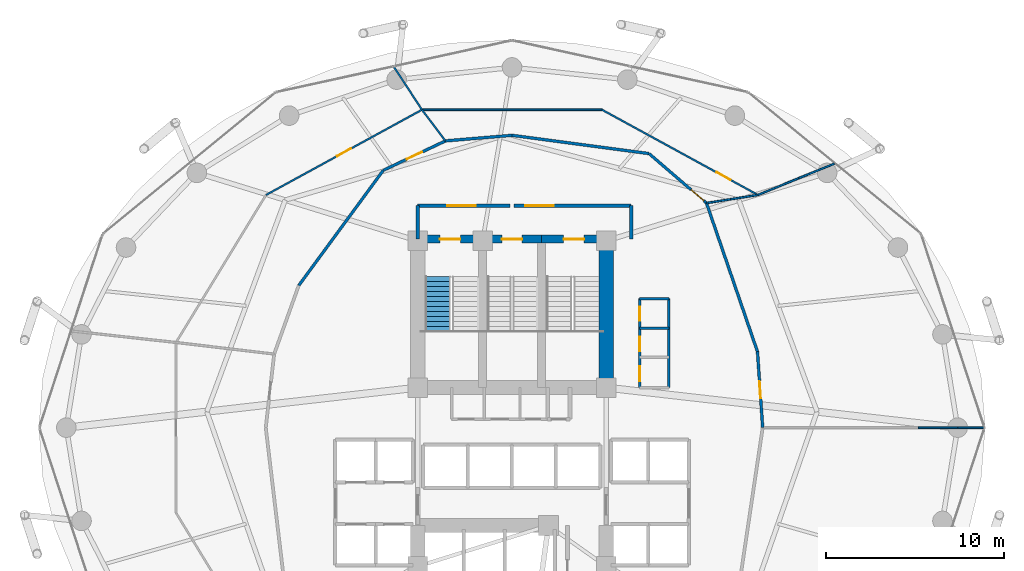
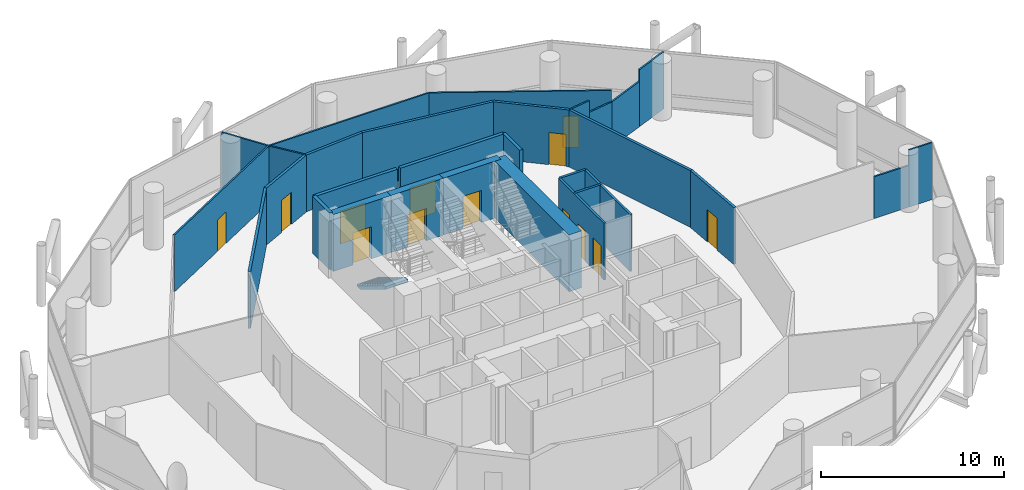
# One storey, part 23 of 25: 30 walls, 13 doors, 1 stair flight, 13 openings, 1 element without a shape of its own.
"""IFC4 building model written with IfcOpenShell, lengths in metres."""

from ifc_helpers import new_model, si_unit, direction, frame, frame_2d, origin, place, context, subcontext, project, spatial, polyline, rectangle, outline, extrude, material, layer, layer_set, type_object, element, fill, aggregate, save


model = new_model("IFC4")

# Units and contexts
model_context = context("Model", 3, precision=1e-05, world=origin(), true_north=direction((0.0, 1.0)))
body_context = subcontext(model_context, "Body", "Model", "MODEL_VIEW")
ifc_project = project(units=[si_unit("LENGTHUNIT", "METRE"), si_unit("AREAUNIT", "SQUARE_METRE"), si_unit("VOLUMEUNIT", "CUBIC_METRE"), si_unit("PLANEANGLEUNIT", "RADIAN"), si_unit("MASSUNIT", "GRAM", prefix="KILO")], contexts=[model_context])

# Site, building, storey
site_placement = place(None, origin())
site = spatial("IfcSite", under=ifc_project, at=site_placement, CompositionType="ELEMENT")
building_placement = place(site_placement, origin())
building = spatial("IfcBuilding", under=site, at=building_placement, Name="Nuhasar Tower", CompositionType="ELEMENT")
storey_placement = place(building_placement, frame((0.0, 0.0, 61.5)))
storey = spatial("IfcBuildingStorey", under=building, at=storey_placement, Name="L14", CompositionType="ELEMENT", Elevation=61.5)

# Wall, opening, door
ifc_material_1 = material(Name="Concrete C50/60", Category="concrete")
ifc_layer_1 = layer(ifc_material_1, 0.449951171875)
ifc_layer_set_1 = layer_set([ifc_layer_1], Name="Concrete C50/60")
wall_type_1 = type_object("IfcWallType", Name="WL-CORE-450", PredefinedType="SHEAR", material=ifc_layer_set_1)
wall_1_placement = place(storey_placement, frame((37.35009765625, 37.39990234375, 0.0), z_axis=(0.0, 0.0, 1.0), x_axis=(-1.0, 0.0, 0.0)))
wall_1 = element("IfcWall", 1, at=wall_1_placement, inside=storey, type_object=wall_type_1, Name="L14 Stairwell Shear Wall ST01-N", PredefinedType="SHEAR", context=body_context, shape_type="SweptSolid", body=[
    extrude(rectangle(XDim=3.650146484375, YDim=0.449951171875, at=frame_2d((1.8251953125, 0.0))), origin(), (0.0, 0.0, 1.0), 3.800048828125),
])
opening_1_placement = place(wall_1_placement, frame((1.25, 0.0, 0.0)))
opening_1 = element("IfcOpeningElement", 2, at=opening_1_placement, cuts=wall_1, Name="Opening DS-01", PredefinedType="OPENING", context=body_context, shape_type="SweptSolid", body=[
    extrude(rectangle(XDim=1.14990234375, YDim=2.14990234375, at=frame_2d((0.574951171875, 1.074951171875))), frame((0.0, 0.23486328125, 0.0), z_axis=(0.0, -1.0, 0.0), x_axis=(1.0, 0.0, 0.0)), (0.0, 0.0, 1.0), 0.469970703125),
])
ifc_material_2 = material(Name="Steel S355", Category="steel")
door_type_1 = type_object("IfcDoorType", Name="DR-STAIR-FD120-1150", OperationType="NOTDEFINED", PredefinedType="DOOR", material=ifc_material_2)
door_1_placement = place(opening_1_placement, origin())
door_1 = element("IfcDoor", 3, at=door_1_placement, inside=storey, type_object=door_type_1, Name="L14 Exit Stair ST-01 Door", OperationType="SINGLE_SWING_RIGHT", OverallHeight=2.14990234375, OverallWidth=1.14990234375, PredefinedType="DOOR", context=body_context, shape_type="SweptSolid", body=[
    extrude(rectangle(XDim=1.14990234375, YDim=2.14990234375, at=frame_2d((0.574951171875, 1.074951171875))), frame((0.0, 0.02490234375, 0.0), z_axis=(0.0, -1.0, 0.0), x_axis=(1.0, 0.0, 0.0)), (0.0, 0.0, 1.0), 0.050048828125),
])
fill(opening_1, door_1)

wall_2_placement = place(storey_placement, frame((40.64990234375, 37.39990234375, 0.0), z_axis=(0.0, 0.0, 1.0), x_axis=(-1.0, 0.0, 0.0)))
wall_2 = element("IfcWall", 4, at=wall_2_placement, inside=storey, type_object=wall_type_1, Name="L14 Stairwell Shear Wall ST03-N", PredefinedType="SHEAR", context=body_context, shape_type="SweptSolid", body=[
    extrude(rectangle(XDim=3.2998046875, YDim=0.449951171875, at=frame_2d((1.64990234375, 0.0))), origin(), (0.0, 0.0, 1.0), 3.800048828125),
])
opening_2_placement = place(wall_2_placement, frame((1.074951171875, 0.0, 0.0)))
opening_2 = element("IfcOpeningElement", 5, at=opening_2_placement, cuts=wall_2, Name="Opening DS-01", PredefinedType="OPENING", context=body_context, shape_type="SweptSolid", body=[
    extrude(rectangle(XDim=1.14990234375, YDim=2.14990234375, at=frame_2d((0.574951171875, 1.074951171875))), frame((0.0, 0.23486328125, 0.0), z_axis=(0.0, -1.0, 0.0), x_axis=(1.0, 0.0, 0.0)), (0.0, 0.0, 1.0), 0.469970703125),
])
door_2_placement = place(opening_2_placement, origin())
door_2 = element("IfcDoor", 6, at=door_2_placement, inside=storey, type_object=door_type_1, Name="L14 Exit Stair ST-03 Door", OperationType="SINGLE_SWING_RIGHT", OverallHeight=2.14990234375, OverallWidth=1.14990234375, PredefinedType="DOOR", context=body_context, shape_type="SweptSolid", body=[
    extrude(rectangle(XDim=1.14990234375, YDim=2.14990234375, at=frame_2d((0.574951171875, 1.074951171875))), frame((0.0, 0.02490234375, 0.0), z_axis=(0.0, -1.0, 0.0), x_axis=(1.0, 0.0, 0.0)), (0.0, 0.0, 1.0), 0.050048828125),
])
fill(opening_2, door_2)

wall_3_placement = place(storey_placement, frame((44.300048828125, 37.39990234375, 0.0), z_axis=(0.0, 0.0, 1.0), x_axis=(-1.0, 0.0, 0.0)))
wall_3 = element("IfcWall", 7, at=wall_3_placement, inside=storey, type_object=wall_type_1, Name="L14 Stairwell Shear Wall ST02-N", PredefinedType="SHEAR", context=body_context, shape_type="SweptSolid", body=[
    extrude(rectangle(XDim=3.650146484375, YDim=0.449951171875, at=frame_2d((1.8251953125, 0.0))), origin(), (0.0, 0.0, 1.0), 3.800048828125),
])
opening_3_placement = place(wall_3_placement, frame((1.25, 0.0, 0.0)))
opening_3 = element("IfcOpeningElement", 8, at=opening_3_placement, cuts=wall_3, Name="Opening DS-01", PredefinedType="OPENING", context=body_context, shape_type="SweptSolid", body=[
    extrude(rectangle(XDim=1.14990234375, YDim=2.14990234375, at=frame_2d((0.574951171875, 1.074951171875))), frame((0.0, 0.23486328125, 0.0), z_axis=(0.0, -1.0, 0.0), x_axis=(1.0, 0.0, 0.0)), (0.0, 0.0, 1.0), 0.469970703125),
])
door_3_placement = place(opening_3_placement, origin())
door_3 = element("IfcDoor", 9, at=door_3_placement, inside=storey, type_object=door_type_1, Name="L14 Exit Stair ST-02 Door", OperationType="SINGLE_SWING_LEFT", OverallHeight=2.14990234375, OverallWidth=1.14990234375, PredefinedType="DOOR", context=body_context, shape_type="SweptSolid", body=[
    extrude(rectangle(XDim=1.14990234375, YDim=2.14990234375, at=frame_2d((0.574951171875, 1.074951171875))), frame((0.0, 0.02490234375, 0.0), z_axis=(0.0, -1.0, 0.0), x_axis=(1.0, 0.0, 0.0)), (0.0, 0.0, 1.0), 0.050048828125),
])
fill(opening_3, door_3)

# Wall
ifc_material_3 = material(Name="Concrete C80/95", Category="concrete")
ifc_layer_2 = layer(ifc_material_3, 0.800048828125)
ifc_layer_set_2 = layer_set([ifc_layer_2], Name="Concrete C80/95")
wall_type_2 = type_object("IfcWallType", Name="WL-CORE-800", PredefinedType="SHEAR", material=ifc_layer_set_2)
wall_4_placement = place(storey_placement, frame((44.300048828125, 29.050048828125, 0.0), z_axis=(0.0, 0.0, 1.0), x_axis=(0.0, 1.0, 0.0)))
element("IfcWall", 10, at=wall_4_placement, inside=storey, type_object=wall_type_2, Name="L14 Core Shear Wall CW-NE CW-800", PredefinedType="SHEAR", context=body_context, shape_type="SweptSolid", body=[
    extrude(rectangle(XDim=8.349853515625, YDim=0.800048828125, at=frame_2d((4.1748046875, 0.0))), origin(), (0.0, 0.0, 1.0), 3.800048828125),
])

# Wall, opening, door
ifc_material_4 = material(Name="Gypsum Board", Category="gypsum")
ifc_layer_3 = layer(ifc_material_4, 0.159912109375)
ifc_layer_set_3 = layer_set([ifc_layer_3], Name="Gypsum Board")
wall_type_3 = type_object("IfcWallType", Name="WL-CORR-160", PredefinedType="PARTITIONING", material=ifc_layer_set_3)
wall_5_placement = place(storey_placement, frame((52.798095703125, 31.069091796875, 0.0), z_axis=(0.0, 0.0, 1.0), x_axis=(0.068238144639, -0.99766906117, 0.0)))
wall_5 = element("IfcWall", 11, at=wall_5_placement, inside=storey, type_object=wall_type_3, Name="L14 Interior Partition CORR-00", PredefinedType="PARTITIONING", context=body_context, shape_type="SweptSolid", body=[
    extrude(rectangle(XDim=4.279052734375, YDim=0.159912109375, at=frame_2d((2.1396484375, 0.0))), origin(), (0.0, 0.0, 1.0), 3.800048828125),
])
opening_4_placement = place(wall_5_placement, frame((1.6640625, 0.0, 0.0)))
opening_4 = element("IfcOpeningElement", 12, at=opening_4_placement, cuts=wall_5, Name="Opening DO-01", PredefinedType="OPENING", context=body_context, shape_type="SweptSolid", body=[
    extrude(rectangle(XDim=0.949951171875, YDim=2.14990234375, at=frame_2d((0.47509765625, 1.074951171875))), frame((0.0, 0.08984375, 0.0), z_axis=(0.0, -1.0, 0.0), x_axis=(1.0, 0.0, 0.0)), (0.0, 0.0, 1.0), 0.179931640625),
])
ifc_material_5 = material(Name="Timber Oak", Category="wood")
door_type_2 = type_object("IfcDoorType", Name="DR-OFFICE-FD30-950", OperationType="NOTDEFINED", PredefinedType="DOOR", material=ifc_material_5)
door_4_placement = place(opening_4_placement, origin())
door_4 = element("IfcDoor", 13, at=door_4_placement, inside=storey, type_object=door_type_2, Name="L14 Quantitative Markets Lounge Entry Door", OperationType="SINGLE_SWING_LEFT", OverallHeight=2.14990234375, OverallWidth=0.949951171875, PredefinedType="DOOR", context=body_context, shape_type="SweptSolid", body=[
    extrude(rectangle(XDim=0.949951171875, YDim=2.14990234375, at=frame_2d((0.47509765625, 1.074951171875))), frame((0.0, 0.02490234375, 0.0), z_axis=(0.0, -1.0, 0.0), x_axis=(1.0, 0.0, 0.0)), (0.0, 0.0, 1.0), 0.050048828125),
])
fill(opening_4, door_4)

# Wall
wall_6_placement = place(storey_placement, frame((52.798095703125, 31.069091796875, 0.0), z_axis=(0.0, 0.0, 1.0), x_axis=(-0.32452502426, 0.945877110744, 0.0)))
element("IfcWall", 14, at=wall_6_placement, inside=storey, type_object=wall_type_3, Name="L14 Interior Partition CORR-02", PredefinedType="PARTITIONING", context=body_context, shape_type="SweptSolid", body=[
    extrude(rectangle(XDim=8.83203125, YDim=0.159912109375, at=frame_2d((4.416015625, 0.0))), origin(), (0.0, 0.0, 1.0), 3.800048828125),
])

# Wall, opening, door
wall_7_placement = place(storey_placement, frame((46.702880859375, 42.2041015625, 0.0), z_axis=(0.0, 0.0, 1.0), x_axis=(0.757713718274, -0.652587098508, 0.0)))
wall_7 = element("IfcWall", 15, at=wall_7_placement, inside=storey, type_object=wall_type_3, Name="L14 Interior Partition CORR-06", PredefinedType="PARTITIONING", context=body_context, shape_type="SweptSolid", body=[
    extrude(rectangle(XDim=4.261474609375, YDim=0.159912109375, at=frame_2d((2.130859375, 0.0))), origin(), (0.0, 0.0, 1.0), 3.800048828125),
])
opening_5_placement = place(wall_7_placement, frame((3.112060546875, 0.0, 0.0)))
opening_5 = element("IfcOpeningElement", 16, at=opening_5_placement, cuts=wall_7, Name="Opening DO-01", PredefinedType="OPENING", context=body_context, shape_type="SweptSolid", body=[
    extrude(rectangle(XDim=0.949951171875, YDim=2.14990234375, at=frame_2d((0.47509765625, 1.074951171875))), frame((0.0, 0.08984375, 0.0), z_axis=(0.0, -1.0, 0.0), x_axis=(1.0, 0.0, 0.0)), (0.0, 0.0, 1.0), 0.179931640625),
])
door_5_placement = place(opening_5_placement, origin())
door_5 = element("IfcDoor", 17, at=door_5_placement, inside=storey, type_object=door_type_2, Name="L14 Portfolio Research Office 1 Entry Door", OperationType="SINGLE_SWING_RIGHT", OverallHeight=2.14990234375, OverallWidth=0.949951171875, PredefinedType="DOOR", context=body_context, shape_type="SweptSolid", body=[
    extrude(rectangle(XDim=0.949951171875, YDim=2.14990234375, at=frame_2d((0.47509765625, 1.074951171875))), frame((0.0, 0.02490234375, 0.0), z_axis=(0.0, -1.0, 0.0), x_axis=(1.0, 0.0, 0.0)), (0.0, 0.0, 1.0), 0.050048828125),
])
fill(opening_5, door_5)

# Walls
wall_8_placement = place(storey_placement, frame((46.702880859375, 42.2041015625, 0.0), z_axis=(0.0, 0.0, 1.0), x_axis=(-0.991247645473, 0.132015549627, 0.0)))
element("IfcWall", 18, at=wall_8_placement, inside=storey, type_object=wall_type_3, Name="L14 Interior Partition CORR-08", PredefinedType="PARTITIONING", context=body_context, shape_type="SweptSolid", body=[
    extrude(rectangle(XDim=7.77099609375, YDim=0.159912109375, at=frame_2d((3.885498046875, 0.0))), origin(), (0.0, 0.0, 1.0), 3.800048828125),
])
wall_9_placement = place(storey_placement, frame((39.0, 43.22998046875, 0.0), z_axis=(0.0, 0.0, 1.0), x_axis=(-0.996516536006, -0.083395404345, 0.0)))
element("IfcWall", 19, at=wall_9_placement, inside=storey, type_object=wall_type_3, Name="L14 Interior Partition CORR-12", PredefinedType="PARTITIONING", context=body_context, shape_type="SweptSolid", body=[
    extrude(rectangle(XDim=3.753173828125, YDim=0.159912109375, at=frame_2d((1.87646484375, 0.0))), origin(), (0.0, 0.0, 1.0), 3.800048828125),
])

# Wall, opening, door
wall_10_placement = place(storey_placement, frame((31.76708984375, 41.264892578125, 0.0), z_axis=(0.0, 0.0, 1.0), x_axis=(0.90398213878, 0.427570219691, 0.0)))
wall_10 = element("IfcWall", 20, at=wall_10_placement, inside=storey, type_object=wall_type_3, Name="L14 Interior Partition CORR-14", PredefinedType="PARTITIONING", context=body_context, shape_type="SweptSolid", body=[
    extrude(rectangle(XDim=3.864013671875, YDim=0.159912109375, at=frame_2d((1.93212890625, 0.0))), origin(), (0.0, 0.0, 1.0), 3.800048828125),
])
opening_6_placement = place(wall_10_placement, frame((1.45703125, 0.0, 0.0)))
opening_6 = element("IfcOpeningElement", 21, at=opening_6_placement, cuts=wall_10, Name="Opening DO-01", PredefinedType="OPENING", context=body_context, shape_type="SweptSolid", body=[
    extrude(rectangle(XDim=0.949951171875, YDim=2.14990234375, at=frame_2d((0.47509765625, 1.074951171875))), frame((0.0, 0.08984375, 0.0), z_axis=(0.0, -1.0, 0.0), x_axis=(1.0, 0.0, 0.0)), (0.0, 0.0, 1.0), 0.179931640625),
])
door_6_placement = place(opening_6_placement, origin())
door_6 = element("IfcDoor", 22, at=door_6_placement, inside=storey, type_object=door_type_2, Name="L14 Portfolio Research Office 2 Entry Door", OperationType="SINGLE_SWING_RIGHT", OverallHeight=2.14990234375, OverallWidth=0.949951171875, PredefinedType="DOOR", context=body_context, shape_type="SweptSolid", body=[
    extrude(rectangle(XDim=0.949951171875, YDim=2.14990234375, at=frame_2d((0.47509765625, 1.074951171875))), frame((0.0, 0.02490234375, 0.0), z_axis=(0.0, -1.0, 0.0), x_axis=(1.0, 0.0, 0.0)), (0.0, 0.0, 1.0), 0.050048828125),
])
fill(opening_6, door_6)

# Walls
wall_11_placement = place(storey_placement, frame((31.76708984375, 41.264892578125, 0.0), z_axis=(0.0, 0.0, 1.0), x_axis=(-0.59176417482, -0.806111134645, 0.0)))
element("IfcWall", 23, at=wall_11_placement, inside=storey, type_object=wall_type_3, Name="L14 Interior Partition CORR-16", PredefinedType="PARTITIONING", context=body_context, shape_type="SweptSolid", body=[
    extrude(rectangle(XDim=8.0322265625, YDim=0.159912109375, at=frame_2d((4.01611328125, 0.0))), origin(), (0.0, 0.0, 1.0), 3.800048828125),
])
ifc_material_6 = material(Name="Concrete C45/55", Category="concrete")
ifc_layer_4 = layer(ifc_material_6, 0.199951171875)
ifc_layer_set_4 = layer_set([ifc_layer_4], Name="Concrete C45/55")
wall_type_4 = type_object("IfcWallType", Name="WL-LOBBY-200", PredefinedType="SOLIDWALL", material=ifc_layer_set_4)
for number, where, z_axis, x_axis, name in (
    (24, (33.699951171875, 37.39990234375, 0.0), (0.0, 0.0, 1.0), (0.0, 1.0, 0.0), "L14 Interior Partition NSL-W"),
    (25, (45.699951171875, 37.39990234375, 0.0), (0.0, 0.0, 1.0), (0.0, 1.0, 0.0), "L14 Interior Partition NSL-E"),
):
    element("IfcWall", number, at=place(storey_placement, frame(where, z_axis=z_axis, x_axis=x_axis)), inside=storey, type_object=wall_type_4, Name=name, PredefinedType="SOLIDWALL", context=body_context, shape_type="SweptSolid", body=[
        extrude(rectangle(XDim=1.880126953125, YDim=0.199951171875, at=frame_2d((0.93994140625, 0.0))), origin(), (0.0, 0.0, 1.0), 3.800048828125),
    ])

# Wall, opening, door
wall_12_placement = place(storey_placement, frame((38.89990234375, 39.280029296875, 0.0), z_axis=(0.0, 0.0, 1.0), x_axis=(-1.0, 0.0, 0.0)))
wall_12 = element("IfcWall", 26, at=wall_12_placement, inside=storey, type_object=wall_type_4, Name="L14 Interior Partition NSL-N1", PredefinedType="SOLIDWALL", context=body_context, shape_type="SweptSolid", body=[
    extrude(rectangle(XDim=5.199951171875, YDim=0.199951171875, at=frame_2d((2.60009765625, 0.0))), origin(), (0.0, 0.0, 1.0), 3.800048828125),
])
opening_7_placement = place(wall_12_placement, frame((1.949951171875, 0.0, 0.0)))
opening_7 = element("IfcOpeningElement", 27, at=opening_7_placement, cuts=wall_12, Name="Opening DC-01", PredefinedType="OPENING", context=body_context, shape_type="SweptSolid", body=[
    extrude(rectangle(XDim=1.60009765625, YDim=2.199951171875, at=frame_2d((0.800048828125, 1.10009765625))), frame((0.0, 0.10986328125, 0.0), z_axis=(0.0, -1.0, 0.0), x_axis=(1.0, 0.0, 0.0)), (0.0, 0.0, 1.0), 0.219970703125),
])
door_type_3 = type_object("IfcDoorType", Name="DR-CORR-FD60-1600", OperationType="DOUBLE_DOOR_SINGLE_SWING", PredefinedType="DOOR", material=ifc_material_2)
door_7_placement = place(opening_7_placement, origin())
door_7 = element("IfcDoor", 28, at=door_7_placement, inside=storey, type_object=door_type_3, Name="L14 North Stair Lobby West Door", OperationType="DOUBLE_DOOR_SINGLE_SWING", OverallHeight=2.199951171875, OverallWidth=1.60009765625, PredefinedType="DOOR", context=body_context, shape_type="SweptSolid", body=[
    extrude(rectangle(XDim=1.60009765625, YDim=2.199951171875, at=frame_2d((0.800048828125, 1.10009765625))), frame((0.0, 0.02490234375, 0.0), z_axis=(0.0, -1.0, 0.0), x_axis=(1.0, 0.0, 0.0)), (0.0, 0.0, 1.0), 0.050048828125),
])
fill(opening_7, door_7)

wall_13_placement = place(storey_placement, frame((45.699951171875, 39.280029296875, 0.0), z_axis=(0.0, 0.0, 1.0), x_axis=(-1.0, 0.0, 0.0)))
wall_13 = element("IfcWall", 29, at=wall_13_placement, inside=storey, type_object=wall_type_4, Name="L14 Interior Partition NSL-N2", PredefinedType="SOLIDWALL", context=body_context, shape_type="SweptSolid", body=[
    extrude(rectangle(XDim=6.599853515625, YDim=0.199951171875, at=frame_2d((3.2998046875, 0.0))), origin(), (0.0, 0.0, 1.0), 3.800048828125),
])
opening_8_placement = place(wall_13_placement, frame((4.35009765625, 0.0, 0.0)))
opening_8 = element("IfcOpeningElement", 30, at=opening_8_placement, cuts=wall_13, Name="Opening DC-01", PredefinedType="OPENING", context=body_context, shape_type="SweptSolid", body=[
    extrude(rectangle(XDim=1.60009765625, YDim=2.199951171875, at=frame_2d((0.800048828125, 1.10009765625))), frame((0.0, 0.10986328125, 0.0), z_axis=(0.0, -1.0, 0.0), x_axis=(1.0, 0.0, 0.0)), (0.0, 0.0, 1.0), 0.219970703125),
])
door_8_placement = place(opening_8_placement, origin())
door_8 = element("IfcDoor", 31, at=door_8_placement, inside=storey, type_object=door_type_3, Name="L14 North Stair Lobby East Door", OperationType="DOUBLE_DOOR_SINGLE_SWING", OverallHeight=2.199951171875, OverallWidth=1.60009765625, PredefinedType="DOOR", context=body_context, shape_type="SweptSolid", body=[
    extrude(rectangle(XDim=1.60009765625, YDim=2.199951171875, at=frame_2d((0.800048828125, 1.10009765625))), frame((0.0, 0.02490234375, 0.0), z_axis=(0.0, -1.0, 0.0), x_axis=(1.0, 0.0, 0.0)), (0.0, 0.0, 1.0), 0.050048828125),
])
fill(opening_8, door_8)

# Walls
ifc_material_7 = material(Name="Aluminium 6063-T6", Category="aluminium")
ifc_layer_5 = layer(ifc_material_7, 0.10009765625)
ifc_layer_set_5 = layer_set([ifc_layer_5], Name="Aluminium 6063-T6")
wall_type_5 = type_object("IfcWallType", Name="WL-MOVABLE-100", PredefinedType="MOVABLE", material=ifc_layer_set_5)
wall_14_placement = place(storey_placement, frame((61.840087890625, 26.800048828125, 0.0), z_axis=(0.0, 0.0, 1.0), x_axis=(1.0, 0.0, 0.0)))
element("IfcWall", 32, at=wall_14_placement, inside=storey, type_object=wall_type_5, Name="L14 Interior Partition ORAD-00", PredefinedType="MOVABLE", context=body_context, shape_type="SweptSolid", body=[
    extrude(rectangle(XDim=2.2158203125, YDim=0.10009765625, at=frame_2d((1.10791015625, 0.0))), origin(), (0.0, 0.0, 1.0), 2.7900390625),
])
wall_15_placement = place(storey_placement, frame((64.055908203125, 26.800048828125, 0.0), z_axis=(0.0, 0.0, 1.0), x_axis=(1.0, 0.0, 0.0)))
element("IfcWall", 33, at=wall_15_placement, inside=storey, type_object=wall_type_5, Name="L14 Interior Partition ORAD-00", PredefinedType="MOVABLE", context=body_context, shape_type="SweptSolid", body=[
    extrude(rectangle(XDim=1.468994140625, YDim=0.10009765625, at=frame_2d((0.734375, 0.0))), origin(), (0.0, 0.0, 1.0), 3.800048828125),
])
wall_16_placement = place(storey_placement, frame((49.931884765625, 39.423095703125, 0.0), z_axis=(0.0, 0.0, 1.0), x_axis=(0.987804034071, 0.155702248772, 0.0)))
element("IfcWall", 34, at=wall_16_placement, inside=storey, type_object=wall_type_5, Name="L14 Interior Partition ORAD-06-S1", PredefinedType="MOVABLE", context=body_context, shape_type="SweptSolid", body=[
    extrude(rectangle(XDim=1.348388671875, YDim=0.10009765625, at=frame_2d((0.67431640625, 0.0))), origin(), (0.0, 0.0, 1.0), 3.800048828125),
])
wall_17_placement = place(storey_placement, frame((51.263916015625, 39.633056640625, 0.0), z_axis=(0.0, 0.0, 1.0), x_axis=(0.9877140387, 0.15627212725, 0.0)))
element("IfcWall", 35, at=wall_17_placement, inside=storey, type_object=wall_type_5, Name="L14 Interior Partition ORAD-06-S1", PredefinedType="MOVABLE", context=body_context, shape_type="SweptSolid", body=[
    extrude(rectangle(XDim=1.579345703125, YDim=0.10009765625, at=frame_2d((0.78955078125, 0.0))), origin(), (0.0, 0.0, 1.0), 3.02001953125),
])
wall_18_placement = place(storey_placement, frame((52.823974609375, 39.8798828125, 0.0), z_axis=(0.0, 0.0, 1.0), x_axis=(0.92535552939, 0.379100440817, 0.0)))
element("IfcWall", 36, at=wall_18_placement, inside=storey, type_object=wall_type_5, Name="L14 Interior Partition ORAD-06-S2", PredefinedType="MOVABLE", context=body_context, shape_type="SweptSolid", body=[
    extrude(rectangle(XDim=2.47998046875, YDim=0.10009765625, at=frame_2d((1.239990234375, 0.0))), origin(), (0.0, 0.0, 1.0), 3.02001953125),
])
wall_19_placement = place(storey_placement, frame((55.118896484375, 40.820068359375, 0.0), z_axis=(0.0, 0.0, 1.0), x_axis=(0.925467678062, 0.378826578875, 0.0)))
element("IfcWall", 37, at=wall_19_placement, inside=storey, type_object=wall_type_5, Name="L14 Interior Partition ORAD-06-S2", PredefinedType="MOVABLE", context=body_context, shape_type="SweptSolid", body=[
    extrude(rectangle(XDim=2.158935546875, YDim=0.10009765625, at=frame_2d((1.07958984375, 0.0))), origin(), (0.0, 0.0, 1.0), 3.800048828125),
])

# Wall, opening, door
wall_20_placement = place(storey_placement, frame((44.06005859375, 44.66796875, 0.0), z_axis=(0.0, 0.0, 1.0), x_axis=(0.877568372218, -0.479451511712, 0.0)))
wall_20 = element("IfcWall", 38, at=wall_20_placement, inside=storey, type_object=wall_type_5, Name="L14 Interior Partition OMID-02-06", PredefinedType="MOVABLE", context=body_context, shape_type="SweptSolid", body=[
    extrude(rectangle(XDim=9.986572265625, YDim=0.10009765625, at=frame_2d((4.9931640625, 0.0))), origin(), (0.0, 0.0, 1.0), 3.800048828125),
])
opening_9_placement = place(wall_20_placement, frame((7.330078125, 0.0, 0.0)))
opening_9 = element("IfcOpeningElement", 39, at=opening_9_placement, cuts=wall_20, Name="Opening DR-01", PredefinedType="OPENING", context=body_context, shape_type="SweptSolid", body=[
    extrude(rectangle(XDim=0.89990234375, YDim=2.10009765625, at=frame_2d((0.449951171875, 1.050048828125))), frame((0.0, 0.06005859375, 0.0), z_axis=(0.0, -1.0, 0.0), x_axis=(1.0, 0.0, 0.0)), (0.0, 0.0, 1.0), 0.1201171875),
])
door_type_4 = type_object("IfcDoorType", Name="DR-ROOM-900", OperationType="NOTDEFINED", PredefinedType="DOOR", material=ifc_material_5)
door_9_placement = place(opening_9_placement, origin())
door_9 = element("IfcDoor", 40, at=door_9_placement, inside=storey, type_object=door_type_4, Name="L14 Portfolio Research Office 1 Inner Door", OperationType="SINGLE_SWING_RIGHT", OverallHeight=2.10009765625, OverallWidth=0.89990234375, PredefinedType="DOOR", context=body_context, shape_type="SweptSolid", body=[
    extrude(rectangle(XDim=0.89990234375, YDim=2.10009765625, at=frame_2d((0.449951171875, 1.050048828125))), frame((0.0, 0.02490234375, 0.0), z_axis=(0.0, -1.0, 0.0), x_axis=(1.0, 0.0, 0.0)), (0.0, 0.0, 1.0), 0.050048828125),
])
fill(opening_9, door_9)

# Walls
wall_21_placement = place(storey_placement, frame((44.06005859375, 44.66796875, 0.0), z_axis=(0.0, 0.0, 1.0), x_axis=(-1.0, 0.0, 0.0)))
element("IfcWall", 41, at=wall_21_placement, inside=storey, type_object=wall_type_5, Name="L14 Interior Partition OMID-02-10", PredefinedType="MOVABLE", context=body_context, shape_type="SweptSolid", body=[
    extrude(rectangle(XDim=10.1201171875, YDim=0.10009765625, at=frame_2d((5.06005859375, 0.0))), origin(), (0.0, 0.0, 1.0), 3.800048828125),
])
wall_22_placement = place(storey_placement, frame((35.260009765625, 42.9169921875, 0.0), z_axis=(0.0, 0.0, 1.0), x_axis=(-0.601993273634, 0.798501157482, 0.0)))
element("IfcWall", 42, at=wall_22_placement, inside=storey, type_object=wall_type_5, Name="L14 Interior Partition ORAD-14-S1", PredefinedType="MOVABLE", context=body_context, shape_type="SweptSolid", body=[
    extrude(rectangle(XDim=2.19287109375, YDim=0.10009765625, at=frame_2d((1.096435546875, 0.0))), origin(), (0.0, 0.0, 1.0), 3.800048828125),
])
wall_23_placement = place(storey_placement, frame((33.93994140625, 44.66796875, 0.0), z_axis=(0.0, 0.0, 1.0), x_axis=(-0.54751296274, 0.836797201018, 0.0)))
element("IfcWall", 43, at=wall_23_placement, inside=storey, type_object=wall_type_5, Name="L14 Interior Partition ORAD-14-S2", PredefinedType="MOVABLE", context=body_context, shape_type="SweptSolid", body=[
    extrude(rectangle(XDim=2.869384765625, YDim=0.10009765625, at=frame_2d((1.4345703125, 0.0))), origin(), (0.0, 0.0, 1.0), 3.800048828125),
])

# Wall, opening, door
wall_24_placement = place(storey_placement, frame((25.176025390625, 39.8798828125, 0.0), z_axis=(0.0, 0.0, 1.0), x_axis=(0.877568372218, 0.479451511712, 0.0)))
wall_24 = element("IfcWall", 44, at=wall_24_placement, inside=storey, type_object=wall_type_5, Name="L14 Interior Partition OMID-03-14", PredefinedType="MOVABLE", context=body_context, shape_type="SweptSolid", body=[
    extrude(rectangle(XDim=9.986572265625, YDim=0.10009765625, at=frame_2d((4.9931640625, 0.0))), origin(), (0.0, 0.0, 1.0), 3.800048828125),
])
opening_10_placement = place(wall_24_placement, frame((4.54296875, 0.0, 0.0)))
opening_10 = element("IfcOpeningElement", 45, at=opening_10_placement, cuts=wall_24, Name="Opening DR-01", PredefinedType="OPENING", context=body_context, shape_type="SweptSolid", body=[
    extrude(rectangle(XDim=0.89990234375, YDim=2.10009765625, at=frame_2d((0.449951171875, 1.050048828125))), frame((0.0, 0.06005859375, 0.0), z_axis=(0.0, -1.0, 0.0), x_axis=(1.0, 0.0, 0.0)), (0.0, 0.0, 1.0), 0.1201171875),
])
door_10_placement = place(opening_10_placement, origin())
door_10 = element("IfcDoor", 46, at=door_10_placement, inside=storey, type_object=door_type_4, Name="L14 Portfolio Research Office 2 Inner Door", OperationType="SINGLE_SWING_LEFT", OverallHeight=2.10009765625, OverallWidth=0.89990234375, PredefinedType="DOOR", context=body_context, shape_type="SweptSolid", body=[
    extrude(rectangle(XDim=0.89990234375, YDim=2.10009765625, at=frame_2d((0.449951171875, 1.050048828125))), frame((0.0, 0.02490234375, 0.0), z_axis=(0.0, -1.0, 0.0), x_axis=(1.0, 0.0, 0.0)), (0.0, 0.0, 1.0), 0.050048828125),
])
fill(opening_10, door_10)

# Wall, openings, doors
ifc_material_8 = material(Name="Concrete C40/50 precast", Category="concrete")
ifc_layer_6 = layer(ifc_material_8, 0.139892578125)
ifc_layer_set_6 = layer_set([ifc_layer_6], Name="Concrete C40/50 precast")
wall_type_6 = type_object("IfcWallType", Name="WL-WET-140", PredefinedType="PARTITIONING", material=ifc_layer_set_6)
wall_25_placement = place(storey_placement, frame((46.179931640625, 34.050048828125, 0.0), z_axis=(0.0, 0.0, 1.0), x_axis=(0.0, -1.0, 0.0)))
wall_25 = element("IfcWall", 47, at=wall_25_placement, inside=storey, type_object=wall_type_6, Name="L14 Interior Partition K1-NE-W", PredefinedType="PARTITIONING", context=body_context, shape_type="SweptSolid", body=[
    extrude(rectangle(XDim=5.0, YDim=0.139892578125, at=frame_2d((2.5, 0.0))), origin(), (0.0, 0.0, 1.0), 3.800048828125),
])
opening_11_placement = place(wall_25_placement, frame((3.800048828125, 0.0, 0.0)))
opening_11 = element("IfcOpeningElement", 48, at=opening_11_placement, cuts=wall_25, Name="Opening DB-01", PredefinedType="OPENING", context=body_context, shape_type="SweptSolid", body=[
    extrude(rectangle(XDim=0.85009765625, YDim=2.10009765625, at=frame_2d((0.425048828125, 1.050048828125))), frame((0.0, 0.080078125, 0.0), z_axis=(0.0, -1.0, 0.0), x_axis=(1.0, 0.0, 0.0)), (0.0, 0.0, 1.0), 0.159912109375),
])
opening_12_placement = place(wall_25_placement, frame((2.14990234375, 0.0, 0.0)))
opening_12 = element("IfcOpeningElement", 49, at=opening_12_placement, cuts=wall_25, Name="Opening DM-01", PredefinedType="OPENING", context=body_context, shape_type="SweptSolid", body=[
    extrude(rectangle(XDim=0.800048828125, YDim=2.050048828125, at=frame_2d((0.39990234375, 1.02490234375))), frame((0.0, 0.080078125, 0.0), z_axis=(0.0, -1.0, 0.0), x_axis=(1.0, 0.0, 0.0)), (0.0, 0.0, 1.0), 0.159912109375),
])
opening_13_placement = place(wall_25_placement, frame((0.449951171875, 0.0, 0.0)))
opening_13 = element("IfcOpeningElement", 50, at=opening_13_placement, cuts=wall_25, Name="Opening DM-01", PredefinedType="OPENING", context=body_context, shape_type="SweptSolid", body=[
    extrude(rectangle(XDim=0.800048828125, YDim=2.050048828125, at=frame_2d((0.39990234375, 1.02490234375))), frame((0.0, 0.080078125, 0.0), z_axis=(0.0, -1.0, 0.0), x_axis=(1.0, 0.0, 0.0)), (0.0, 0.0, 1.0), 0.159912109375),
])
door_type_5 = type_object("IfcDoorType", Name="DR-BATH-850", OperationType="NOTDEFINED", PredefinedType="DOOR", material=ifc_material_5)
door_11_placement = place(opening_11_placement, origin())
door_11 = element("IfcDoor", 51, at=door_11_placement, inside=storey, type_object=door_type_5, Name="L14 NE Female WC Door", OperationType="SINGLE_SWING_RIGHT", OverallHeight=2.10009765625, OverallWidth=0.85009765625, PredefinedType="DOOR", context=body_context, shape_type="SweptSolid", body=[
    extrude(rectangle(XDim=0.85009765625, YDim=2.10009765625, at=frame_2d((0.425048828125, 1.050048828125))), frame((0.0, 0.02490234375, 0.0), z_axis=(0.0, -1.0, 0.0), x_axis=(1.0, 0.0, 0.0)), (0.0, 0.0, 1.0), 0.050048828125),
])
fill(opening_11, door_11)
door_type_6 = type_object("IfcDoorType", Name="DR-RISER-FD60-800", OperationType="NOTDEFINED", PredefinedType="DOOR", material=ifc_material_2)
door_12_placement = place(opening_12_placement, origin())
door_12 = element("IfcDoor", 52, at=door_12_placement, inside=storey, type_object=door_type_6, Name="L14 NE Meter Door", OperationType="SINGLE_SWING_RIGHT", OverallHeight=2.050048828125, OverallWidth=0.800048828125, PredefinedType="DOOR", context=body_context, shape_type="SweptSolid", body=[
    extrude(rectangle(XDim=0.800048828125, YDim=2.050048828125, at=frame_2d((0.39990234375, 1.02490234375))), frame((0.0, 0.02490234375, 0.0), z_axis=(0.0, -1.0, 0.0), x_axis=(1.0, 0.0, 0.0)), (0.0, 0.0, 1.0), 0.050048828125),
])
fill(opening_12, door_12)
door_13_placement = place(opening_13_placement, origin())
door_13 = element("IfcDoor", 53, at=door_13_placement, inside=storey, type_object=door_type_6, Name="L14 NE Telecom Door", OperationType="SINGLE_SWING_LEFT", OverallHeight=2.050048828125, OverallWidth=0.800048828125, PredefinedType="DOOR", context=body_context, shape_type="SweptSolid", body=[
    extrude(rectangle(XDim=0.800048828125, YDim=2.050048828125, at=frame_2d((0.39990234375, 1.02490234375))), frame((0.0, 0.02490234375, 0.0), z_axis=(0.0, -1.0, 0.0), x_axis=(1.0, 0.0, 0.0)), (0.0, 0.0, 1.0), 0.050048828125),
])
fill(opening_13, door_13)

# Walls
for number, where, z_axis, x_axis, name in (
    (54, (46.179931640625, 32.39990234375, 0.0), (0.0, 0.0, 1.0), (1.0, 0.0, 0.0), "L14 Interior Partition K1-NE-M2"),
    (55, (46.179931640625, 34.050048828125, 0.0), (0.0, 0.0, 1.0), (1.0, 0.0, 0.0), "L14 Interior Partition K1-NE-N"),
):
    element("IfcWall", number, at=place(storey_placement, frame(where, z_axis=z_axis, x_axis=x_axis)), inside=storey, type_object=wall_type_6, Name=name, PredefinedType="PARTITIONING", context=body_context, shape_type="SweptSolid", body=[
        extrude(rectangle(XDim=1.64013671875, YDim=0.139892578125, at=frame_2d((0.820068359375, 0.0))), origin(), (0.0, 0.0, 1.0), 3.800048828125),
    ])
wall_26_placement = place(storey_placement, frame((47.820068359375, 29.050048828125, 0.0), z_axis=(0.0, 0.0, 1.0), x_axis=(0.0, 1.0, 0.0)))
element("IfcWall", 56, at=wall_26_placement, inside=storey, type_object=wall_type_6, Name="L14 Interior Partition K1-NE-E", PredefinedType="PARTITIONING", context=body_context, shape_type="SweptSolid", body=[
    extrude(rectangle(XDim=5.0, YDim=0.139892578125, at=frame_2d((2.5, 0.0))), origin(), (0.0, 0.0, 1.0), 3.800048828125),
])

# Stair, stair flight
stair_type = type_object("IfcStairType", Name="STR-ST-01-2F-24R-1688", PredefinedType="HALF_TURN_STAIR", material=ifc_material_6)
stair_placement = place(storey_placement, origin())
stair = element("IfcStair", 57, at=stair_placement, inside=storey, type_object=stair_type, Name="L14 Exit Stair ST-01", PredefinedType="HALF_TURN_STAIR")
stair_flight_type = type_object("IfcStairFlightType", Name="SFL-ST-01-12R-1688", PredefinedType="STRAIGHT", material=ifc_material_6)
stair_flight_placement = place(storey_placement, frame((34.830078125, 35.284912109375, 0.0), z_axis=(0.0, 0.0, 1.0), x_axis=(0.0, -1.0, 0.0)))
stair_flight = element("IfcStairFlight", 58, at=stair_flight_placement, type_object=stair_flight_type, Name="ST-01 flight 1", NumberOfRisers=12, NumberOfTreads=11, PredefinedType="STRAIGHT", RiserHeight=0.16875, TreadLength=0.28, context=body_context, shape_type="SweptSolid", body=[
    extrude(outline(polyline([(0.0, 0.0), (0.0, 0.168701171875), (0.280029296875, 0.168701171875), (0.280029296875, 0.33740234375), (0.56005859375, 0.33740234375), (0.56005859375, 0.50634765625), (0.840087890625, 0.50634765625), (0.840087890625, 0.675048828125), (1.1201171875, 0.675048828125), (1.1201171875, 0.84375), (1.39990234375, 0.84375), (1.39990234375, 1.012451171875), (1.679931640625, 1.012451171875), (1.679931640625, 1.18115234375), (1.9599609375, 1.18115234375), (1.9599609375, 1.35009765625), (2.239990234375, 1.35009765625), (2.239990234375, 1.518798828125), (2.52001953125, 1.518798828125), (2.52001953125, 1.6875), (2.800048828125, 1.6875), (2.800048828125, 1.856201171875), (3.080078125, 1.856201171875), (3.080078125, 2.02490234375), (3.080078125, 1.66943359375), (0.309814453125, 0.0), (0.0, 0.0)])), frame((0.0, 0.7099609375, 0.0), z_axis=(0.0, -1.0, 0.0), x_axis=(1.0, 0.0, 0.0)), (0.0, 0.0, 1.0), 1.419921875),
])
aggregate(stair, [stair_flight])

save(model, "model.ifc")
